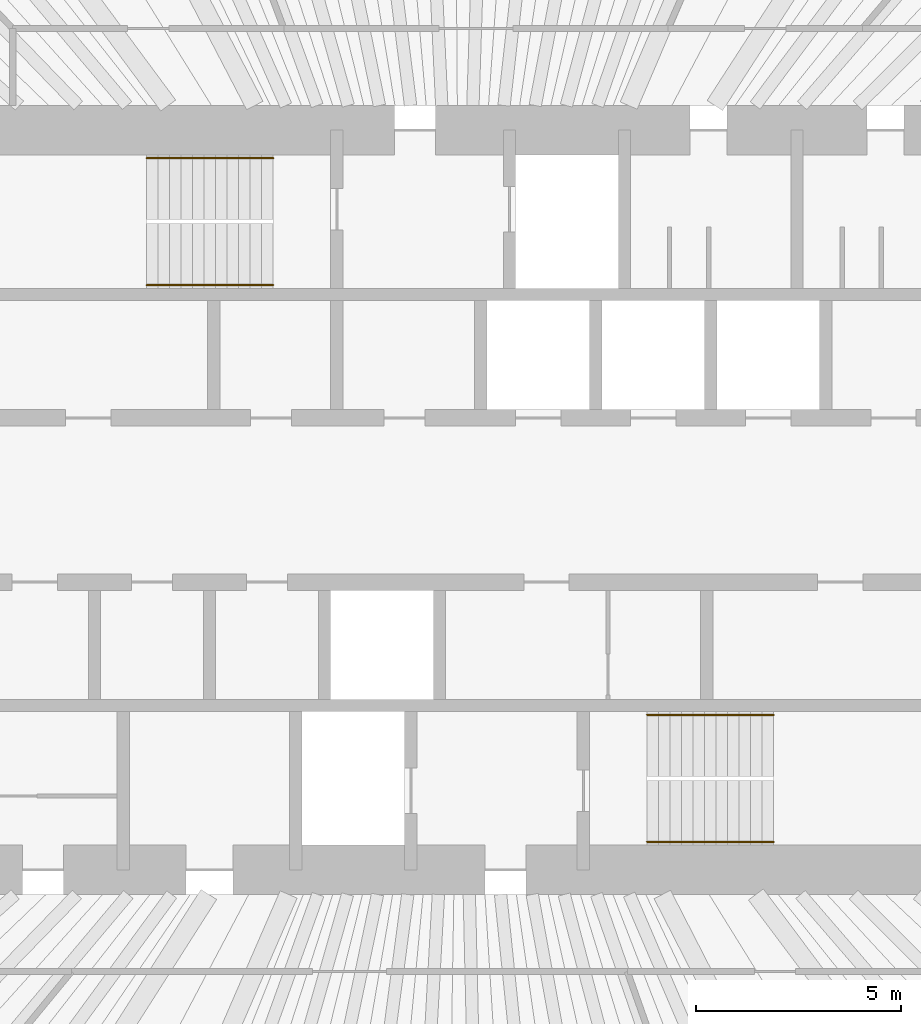
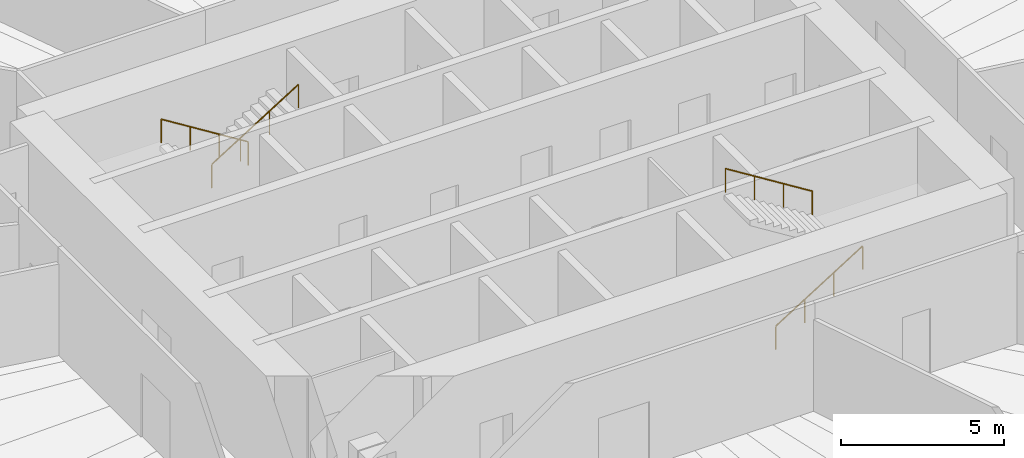
# One storey, part 13 of 13: 4 railings.
"""IFC4 building model written with IfcOpenShell, lengths in metres."""

from ifc_helpers import new_model, si_unit, direction, frame, origin, origin_2d, place, context, subcontext, project, spatial, circle, extrude, material, type_object, element, save


model = new_model("IFC4")

# Units and contexts
model_context = context("Model", 3, precision=1e-05, world=origin(), true_north=direction((0.0, 1.0)))
body_context = subcontext(model_context, "Body", "Model", "MODEL_VIEW")
ifc_project = project(units=[si_unit("LENGTHUNIT", "METRE"), si_unit("AREAUNIT", "SQUARE_METRE"), si_unit("VOLUMEUNIT", "CUBIC_METRE"), si_unit("PLANEANGLEUNIT", "RADIAN"), si_unit("MASSUNIT", "GRAM", prefix="KILO")], contexts=[model_context])

# Site, building, storey
site_placement = place(None, origin())
site = spatial("IfcSite", under=ifc_project, at=site_placement, CompositionType="ELEMENT")
building_placement = place(site_placement, origin())
building = spatial("IfcBuilding", under=site, at=building_placement, Name="Qingtian Harvest Tower", CompositionType="ELEMENT")
storey_placement = place(building_placement, frame((0.0, 0.0, 188.800048828125)))
storey = spatial("IfcBuildingStorey", under=building, at=storey_placement, Name="L40", CompositionType="ELEMENT", Elevation=188.800048828125)

# Railings
ifc_material = material(Name="Stainless steel handrail", Category="steel")
railing_type = type_object("IfcRailingType", Name="Handrail HR1", PredefinedType="HANDRAIL", material=ifc_material)
railing_1_placement = place(storey_placement, frame((-4.550048828125, 8.320068359375, 0.175048828125)))
element("IfcRailing", 1, at=railing_1_placement, inside=storey, type_object=railing_type, Name="Handrail HR1 S1 flight 1", PredefinedType="HANDRAIL", context=body_context, shape_type="SweptSolid", body=[
    extrude(circle(Radius=0.02392578125, at=origin_2d()), frame((0.0, 0.0, 0.8759765625), z_axis=(-0.848009633417, 0.0, 0.529980812513), x_axis=(0.0, -1.0, 0.0)), (0.0, 0.0, 1.0), 3.6318359375),
    extrude(circle(Radius=0.02099609375, at=origin_2d()), origin(), (0.0, 0.0, 1.0), 0.851806640625),
    extrude(circle(Radius=0.02099609375, at=origin_2d()), frame((-1.026611328125, 0.0, 0.6416015625)), (0.0, 0.0, 1.0), 0.851806640625),
    extrude(circle(Radius=0.02099609375, at=origin_2d()), frame((-2.05322265625, 0.0, 1.283203125)), (0.0, 0.0, 1.0), 0.851806640625),
    extrude(circle(Radius=0.02099609375, at=origin_2d()), frame((-3.079833984375, 0.0, 1.9248046875)), (0.0, 0.0, 1.0), 0.851806640625),
])
railing_2_placement = place(storey_placement, frame((-7.6298828125, 5.22998046875, 2.27490234375)))
element("IfcRailing", 2, at=railing_2_placement, inside=storey, type_object=railing_type, Name="Handrail HR1 S1 flight 2", PredefinedType="HANDRAIL", context=body_context, shape_type="SweptSolid", body=[
    extrude(circle(Radius=0.02392578125, at=origin_2d()), frame((0.0, 0.0, 0.8759765625), z_axis=(0.847979421464, 0.0, 0.530029150871), x_axis=(0.0, 1.0, 0.0)), (0.0, 0.0, 1.0), 3.632080078125),
    extrude(circle(Radius=0.02099609375, at=origin_2d()), origin(), (0.0, 0.0, 1.0), 0.851806640625),
    extrude(circle(Radius=0.02099609375, at=origin_2d()), frame((1.026611328125, 0.0, 0.6416015625)), (0.0, 0.0, 1.0), 0.851806640625),
    extrude(circle(Radius=0.02099609375, at=origin_2d()), frame((2.05322265625, 0.0, 1.283447265625)), (0.0, 0.0, 1.0), 0.851806640625),
    extrude(circle(Radius=0.02099609375, at=origin_2d()), frame((3.079833984375, 0.0, 1.925048828125)), (0.0, 0.0, 1.0), 0.851806640625),
])
railing_3_placement = place(storey_placement, frame((4.550048828125, -8.320068359375, 0.175048828125)))
element("IfcRailing", 3, at=railing_3_placement, inside=storey, type_object=railing_type, Name="Handrail HR1 S2 flight 1", PredefinedType="HANDRAIL", context=body_context, shape_type="SweptSolid", body=[
    extrude(circle(Radius=0.02392578125, at=origin_2d()), frame((0.0, 0.0, 0.8759765625), z_axis=(0.848009633417, 0.0, 0.529980812513), x_axis=(0.0, 1.0, 0.0)), (0.0, 0.0, 1.0), 3.6318359375),
    extrude(circle(Radius=0.02099609375, at=origin_2d()), origin(), (0.0, 0.0, 1.0), 0.851806640625),
    extrude(circle(Radius=0.02099609375, at=origin_2d()), frame((1.026611328125, 0.0, 0.6416015625)), (0.0, 0.0, 1.0), 0.851806640625),
    extrude(circle(Radius=0.02099609375, at=origin_2d()), frame((2.05322265625, 0.0, 1.283203125)), (0.0, 0.0, 1.0), 0.851806640625),
    extrude(circle(Radius=0.02099609375, at=origin_2d()), frame((3.079833984375, 0.0, 1.9248046875)), (0.0, 0.0, 1.0), 0.851806640625),
])
railing_4_placement = place(storey_placement, frame((7.6298828125, -5.22998046875, 2.27490234375)))
element("IfcRailing", 4, at=railing_4_placement, inside=storey, type_object=railing_type, Name="Handrail HR1 S2 flight 2", PredefinedType="HANDRAIL", context=body_context, shape_type="SweptSolid", body=[
    extrude(circle(Radius=0.02392578125, at=origin_2d()), frame((0.0, 0.0, 0.8759765625), z_axis=(-0.847979421464, 0.0, 0.530029150871), x_axis=(0.0, -1.0, 0.0)), (0.0, 0.0, 1.0), 3.632080078125),
    extrude(circle(Radius=0.02099609375, at=origin_2d()), origin(), (0.0, 0.0, 1.0), 0.851806640625),
    extrude(circle(Radius=0.02099609375, at=origin_2d()), frame((-1.026611328125, 0.0, 0.6416015625)), (0.0, 0.0, 1.0), 0.851806640625),
    extrude(circle(Radius=0.02099609375, at=origin_2d()), frame((-2.05322265625, 0.0, 1.283447265625)), (0.0, 0.0, 1.0), 0.851806640625),
    extrude(circle(Radius=0.02099609375, at=origin_2d()), frame((-3.079833984375, 0.0, 1.925048828125)), (0.0, 0.0, 1.0), 0.851806640625),
])

save(model, "model.ifc")
